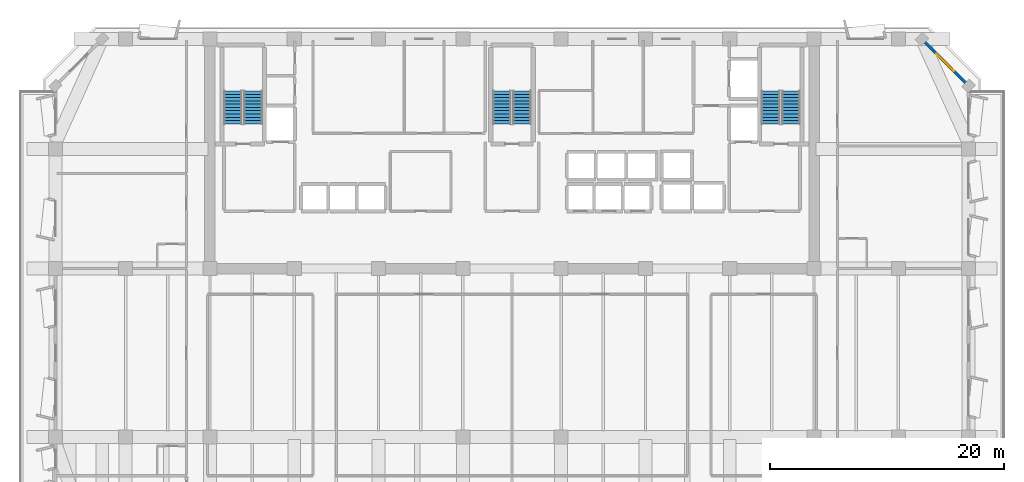
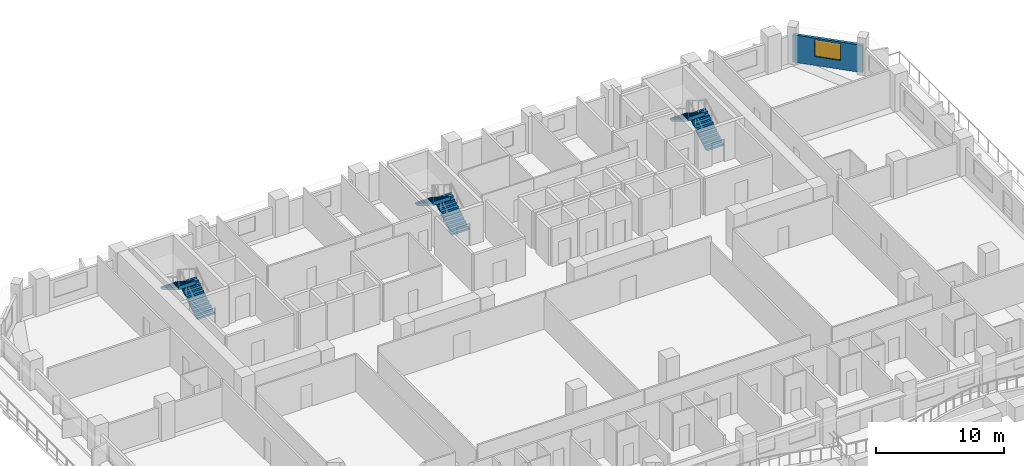
# One storey, part 11 of 16: 6 stair flights, 1 wall, 1 window, 1 opening, 3 elements without a shape of their own.
"""IFC4 building model written with IfcOpenShell, lengths in metres."""

from ifc_helpers import new_model, si_unit, direction, frame, frame_2d, origin, place, context, subcontext, project, spatial, polyline, rectangle, outline, extrude, material, layer, layer_set, type_object, element, fill, aggregate, save


model = new_model("IFC4")

# Units and contexts
model_context = context("Model", 3, precision=1e-05, world=origin(), true_north=direction((0.0, 1.0)))
body_context = subcontext(model_context, "Body", "Model", "MODEL_VIEW")
ifc_project = project(units=[si_unit("LENGTHUNIT", "METRE"), si_unit("AREAUNIT", "SQUARE_METRE"), si_unit("VOLUMEUNIT", "CUBIC_METRE"), si_unit("PLANEANGLEUNIT", "RADIAN"), si_unit("MASSUNIT", "GRAM", prefix="KILO")], contexts=[model_context])

# Site, building, storey
site_placement = place(None, origin())
site = spatial("IfcSite", under=ifc_project, at=site_placement, CompositionType="ELEMENT")
building_placement = place(site_placement, origin())
building = spatial("IfcBuilding", under=site, at=building_placement, Name="Kaelvorn Grand Hotel", CompositionType="ELEMENT")
storey_placement = place(building_placement, frame((0.0, 0.0, 135.35009765625)))
storey = spatial("IfcBuildingStorey", under=building, at=storey_placement, Name="L32", CompositionType="ELEMENT", Elevation=135.35009765625)

# Wall, opening, window
ifc_material_1 = material(Name="Concrete C40/50", Category="concrete")
ifc_layer = layer(ifc_material_1, 0.239990234375)
ifc_layer_set = layer_set([ifc_layer], Name="Concrete C40/50")
wall_type = type_object("IfcWallType", Name="WL-EXT-240-C40", PredefinedType="SOLIDWALL", material=ifc_layer_set)
wall_placement = place(storey_placement, frame((81.0, 45.0, 0.0), z_axis=(0.0, 0.0, 1.0), x_axis=(-0.707106781187, 0.707106781187, 0.0)))
wall = element("IfcWall", 1, at=wall_placement, inside=storey, type_object=wall_type, Name="L32 Exterior Architectural Concrete Wall 04", PredefinedType="SOLIDWALL", context=body_context, shape_type="SweptSolid", body=[
    extrude(rectangle(XDim=5.65673828125, YDim=0.239990234375, at=frame_2d((2.828369140625, 0.0))), origin(), (0.0, 0.0, 1.0), 2.60986328125),
])
opening_placement = place(wall_placement, frame((1.7783203125, 0.0, 0.85009765625)))
opening = element("IfcOpeningElement", 2, at=opening_placement, cuts=wall, Name="Opening W7", PredefinedType="OPENING", context=body_context, shape_type="SweptSolid", body=[
    extrude(rectangle(XDim=2.10009765625, YDim=1.60009765625, at=frame_2d((1.050048828125, 0.800048828125))), frame((0.0, 0.1298828125, 0.0), z_axis=(0.0, -1.0, 0.0), x_axis=(1.0, 0.0, 0.0)), (0.0, 0.0, 1.0), 0.260009765625),
])
ifc_material_2 = material(Name="Laminated Low-E Glass", Category="glass")
window_type = type_object("IfcWindowType", Name="WIN-CHM-2100x1600", PartitioningType="SINGLE_PANEL", PredefinedType="WINDOW", material=ifc_material_2)
window_placement = place(opening_placement, origin())
window = element("IfcWindow", 3, at=window_placement, inside=storey, type_object=window_type, Name="L32 Chamfered 45-Degree Corner Window NE", OverallHeight=1.60009765625, OverallWidth=2.10009765625, PartitioningType="SINGLE_PANEL", PredefinedType="WINDOW", context=body_context, shape_type="SweptSolid", body=[
    extrude(rectangle(XDim=2.10009765625, YDim=1.60009765625, at=frame_2d((1.050048828125, 0.800048828125))), frame((0.0, 0.030029296875, 0.0), z_axis=(0.0, -1.0, 0.0), x_axis=(1.0, 0.0, 0.0)), (0.0, 0.0, 1.0), 0.06005859375),
])
fill(opening, window)

# Stair, stair flights
stair_type = type_object("IfcStairType", Name="STR-DOG-1560-R08", PredefinedType="HALF_TURN_STAIR", material=ifc_material_1)
stair_1_placement = place(storey_placement, origin())
stair_1 = element("IfcStair", 4, at=stair_1_placement, inside=storey, type_object=stair_type, Name="L32 West Core Exit Stair ST1", PredefinedType="HALF_TURN_STAIR")
stair_flight_type = type_object("IfcStairFlightType", Name="FLG-DOG-1560-R08", PredefinedType="STRAIGHT", material=ifc_material_1)
stair_flight_1_placement = place(storey_placement, frame((19.89990234375, 41.760009765625, 0.0), z_axis=(0.0, 0.0, 1.0), x_axis=(0.0, 1.0, 0.0)))
stair_flight_1 = element("IfcStairFlight", 5, at=stair_flight_1_placement, type_object=stair_flight_type, Name="ST1 flight 1", NumberOfRisers=11, NumberOfTreads=10, PredefinedType="STRAIGHT", RiserHeight=0.172727273, TreadLength=0.28, context=body_context, shape_type="SweptSolid", body=[
    extrude(outline(polyline([(-0.0048828125, 0.0), (-0.0048828125, 0.0400390625), (0.0, 0.172607421875), (0.280029296875, 0.172607421875), (0.280029296875, 0.345458984375), (0.56005859375, 0.345458984375), (0.56005859375, 0.51806640625), (0.840087890625, 0.51806640625), (0.840087890625, 0.69091796875), (1.1201171875, 0.69091796875), (1.1201171875, 0.863525390625), (1.39990234375, 0.863525390625), (1.39990234375, 1.036376953125), (1.679931640625, 1.036376953125), (1.679931640625, 1.208984375), (1.9599609375, 1.208984375), (1.9599609375, 1.3818359375), (2.239990234375, 1.3818359375), (2.239990234375, 1.554443359375), (2.52001953125, 1.554443359375), (2.52001953125, 1.727294921875), (2.800048828125, 1.727294921875), (2.800048828125, 1.89990234375), (2.804931640625, 1.89990234375), (2.804931640625, 1.551025390625), (0.285400390625, 0.0), (-0.0048828125, 0.0)])), frame((0.0, 0.780029296875, 0.0), z_axis=(0.0, -1.0, 0.0), x_axis=(1.0, 0.0, 0.0)), (0.0, 0.0, 1.0), 1.56005859375),
])
stair_flight_2_placement = place(storey_placement, frame((18.179931640625, 44.56005859375, 1.89990234375), z_axis=(0.0, 0.0, 1.0), x_axis=(0.0, -1.0, 0.0)))
stair_flight_2 = element("IfcStairFlight", 6, at=stair_flight_2_placement, type_object=stair_flight_type, Name="ST1 flight 2", NumberOfRisers=11, NumberOfTreads=10, PredefinedType="STRAIGHT", RiserHeight=0.172727273, TreadLength=0.28, context=body_context, shape_type="SweptSolid", body=[
    extrude(outline(polyline([(-0.0048828125, 0.0), (-0.0048828125, 0.0400390625), (0.0, 0.172607421875), (0.280029296875, 0.172607421875), (0.280029296875, 0.345458984375), (0.56005859375, 0.345458984375), (0.56005859375, 0.51806640625), (0.840087890625, 0.51806640625), (0.840087890625, 0.69091796875), (1.1201171875, 0.69091796875), (1.1201171875, 0.863525390625), (1.39990234375, 0.863525390625), (1.39990234375, 1.036376953125), (1.679931640625, 1.036376953125), (1.679931640625, 1.208984375), (1.9599609375, 1.208984375), (1.9599609375, 1.3818359375), (2.239990234375, 1.3818359375), (2.239990234375, 1.554443359375), (2.52001953125, 1.554443359375), (2.52001953125, 1.727294921875), (2.800048828125, 1.727294921875), (2.800048828125, 1.89990234375), (2.804931640625, 1.89990234375), (2.804931640625, 1.551025390625), (0.285400390625, 0.0), (-0.0048828125, 0.0)])), frame((0.0, 0.780029296875, 0.0), z_axis=(0.0, -1.0, 0.0), x_axis=(1.0, 0.0, 0.0)), (0.0, 0.0, 1.0), 1.56005859375),
])
aggregate(stair_1, [stair_flight_1, stair_flight_2])

stair_2_placement = place(storey_placement, origin())
stair_2 = element("IfcStair", 7, at=stair_2_placement, inside=storey, type_object=stair_type, Name="L32 Central Core Exit Stair ST2", PredefinedType="HALF_TURN_STAIR")
stair_flight_3_placement = place(storey_placement, frame((42.860107421875, 41.760009765625, 0.0), z_axis=(0.0, 0.0, 1.0), x_axis=(0.0, 1.0, 0.0)))
stair_flight_3 = element("IfcStairFlight", 8, at=stair_flight_3_placement, type_object=stair_flight_type, Name="ST2 flight 1", NumberOfRisers=11, NumberOfTreads=10, PredefinedType="STRAIGHT", RiserHeight=0.172727273, TreadLength=0.28, context=body_context, shape_type="SweptSolid", body=[
    extrude(outline(polyline([(-0.0048828125, 0.0), (-0.0048828125, 0.0400390625), (0.0, 0.172607421875), (0.280029296875, 0.172607421875), (0.280029296875, 0.345458984375), (0.56005859375, 0.345458984375), (0.56005859375, 0.51806640625), (0.840087890625, 0.51806640625), (0.840087890625, 0.69091796875), (1.1201171875, 0.69091796875), (1.1201171875, 0.863525390625), (1.39990234375, 0.863525390625), (1.39990234375, 1.036376953125), (1.679931640625, 1.036376953125), (1.679931640625, 1.208984375), (1.9599609375, 1.208984375), (1.9599609375, 1.3818359375), (2.239990234375, 1.3818359375), (2.239990234375, 1.554443359375), (2.52001953125, 1.554443359375), (2.52001953125, 1.727294921875), (2.800048828125, 1.727294921875), (2.800048828125, 1.89990234375), (2.804931640625, 1.89990234375), (2.804931640625, 1.551025390625), (0.285400390625, 0.0), (-0.0048828125, 0.0)])), frame((0.0, 0.780029296875, 0.0), z_axis=(0.0, -1.0, 0.0), x_axis=(1.0, 0.0, 0.0)), (0.0, 0.0, 1.0), 1.56005859375),
])
stair_flight_4_placement = place(storey_placement, frame((41.139892578125, 44.56005859375, 1.89990234375), z_axis=(0.0, 0.0, 1.0), x_axis=(0.0, -1.0, 0.0)))
stair_flight_4 = element("IfcStairFlight", 9, at=stair_flight_4_placement, type_object=stair_flight_type, Name="ST2 flight 2", NumberOfRisers=11, NumberOfTreads=10, PredefinedType="STRAIGHT", RiserHeight=0.172727273, TreadLength=0.28, context=body_context, shape_type="SweptSolid", body=[
    extrude(outline(polyline([(-0.0048828125, 0.0), (-0.0048828125, 0.0400390625), (0.0, 0.172607421875), (0.280029296875, 0.172607421875), (0.280029296875, 0.345458984375), (0.56005859375, 0.345458984375), (0.56005859375, 0.51806640625), (0.840087890625, 0.51806640625), (0.840087890625, 0.69091796875), (1.1201171875, 0.69091796875), (1.1201171875, 0.863525390625), (1.39990234375, 0.863525390625), (1.39990234375, 1.036376953125), (1.679931640625, 1.036376953125), (1.679931640625, 1.208984375), (1.9599609375, 1.208984375), (1.9599609375, 1.3818359375), (2.239990234375, 1.3818359375), (2.239990234375, 1.554443359375), (2.52001953125, 1.554443359375), (2.52001953125, 1.727294921875), (2.800048828125, 1.727294921875), (2.800048828125, 1.89990234375), (2.804931640625, 1.89990234375), (2.804931640625, 1.551025390625), (0.285400390625, 0.0), (-0.0048828125, 0.0)])), frame((0.0, 0.780029296875, 0.0), z_axis=(0.0, -1.0, 0.0), x_axis=(1.0, 0.0, 0.0)), (0.0, 0.0, 1.0), 1.56005859375),
])
aggregate(stair_2, [stair_flight_3, stair_flight_4])

stair_3_placement = place(storey_placement, origin())
stair_3 = element("IfcStair", 10, at=stair_3_placement, inside=storey, type_object=stair_type, Name="L32 East Core Exit Stair ST3", PredefinedType="HALF_TURN_STAIR")
stair_flight_5_placement = place(storey_placement, frame((65.820068359375, 41.760009765625, 0.0), z_axis=(0.0, 0.0, 1.0), x_axis=(0.0, 1.0, 0.0)))
stair_flight_5 = element("IfcStairFlight", 11, at=stair_flight_5_placement, type_object=stair_flight_type, Name="ST3 flight 1", NumberOfRisers=11, NumberOfTreads=10, PredefinedType="STRAIGHT", RiserHeight=0.172727273, TreadLength=0.28, context=body_context, shape_type="SweptSolid", body=[
    extrude(outline(polyline([(-0.0048828125, 0.0), (-0.0048828125, 0.0400390625), (0.0, 0.172607421875), (0.280029296875, 0.172607421875), (0.280029296875, 0.345458984375), (0.56005859375, 0.345458984375), (0.56005859375, 0.51806640625), (0.840087890625, 0.51806640625), (0.840087890625, 0.69091796875), (1.1201171875, 0.69091796875), (1.1201171875, 0.863525390625), (1.39990234375, 0.863525390625), (1.39990234375, 1.036376953125), (1.679931640625, 1.036376953125), (1.679931640625, 1.208984375), (1.9599609375, 1.208984375), (1.9599609375, 1.3818359375), (2.239990234375, 1.3818359375), (2.239990234375, 1.554443359375), (2.52001953125, 1.554443359375), (2.52001953125, 1.727294921875), (2.800048828125, 1.727294921875), (2.800048828125, 1.89990234375), (2.804931640625, 1.89990234375), (2.804931640625, 1.551025390625), (0.285400390625, 0.0), (-0.0048828125, 0.0)])), frame((0.0, 0.780029296875, 0.0), z_axis=(0.0, -1.0, 0.0), x_axis=(1.0, 0.0, 0.0)), (0.0, 0.0, 1.0), 1.56005859375),
])
stair_flight_6_placement = place(storey_placement, frame((64.10009765625, 44.56005859375, 1.89990234375), z_axis=(0.0, 0.0, 1.0), x_axis=(0.0, -1.0, 0.0)))
stair_flight_6 = element("IfcStairFlight", 12, at=stair_flight_6_placement, type_object=stair_flight_type, Name="ST3 flight 2", NumberOfRisers=11, NumberOfTreads=10, PredefinedType="STRAIGHT", RiserHeight=0.172727273, TreadLength=0.28, context=body_context, shape_type="SweptSolid", body=[
    extrude(outline(polyline([(-0.0048828125, 0.0), (-0.0048828125, 0.0400390625), (0.0, 0.172607421875), (0.280029296875, 0.172607421875), (0.280029296875, 0.345458984375), (0.56005859375, 0.345458984375), (0.56005859375, 0.51806640625), (0.840087890625, 0.51806640625), (0.840087890625, 0.69091796875), (1.1201171875, 0.69091796875), (1.1201171875, 0.863525390625), (1.39990234375, 0.863525390625), (1.39990234375, 1.036376953125), (1.679931640625, 1.036376953125), (1.679931640625, 1.208984375), (1.9599609375, 1.208984375), (1.9599609375, 1.3818359375), (2.239990234375, 1.3818359375), (2.239990234375, 1.554443359375), (2.52001953125, 1.554443359375), (2.52001953125, 1.727294921875), (2.800048828125, 1.727294921875), (2.800048828125, 1.89990234375), (2.804931640625, 1.89990234375), (2.804931640625, 1.551025390625), (0.285400390625, 0.0), (-0.0048828125, 0.0)])), frame((0.0, 0.780029296875, 0.0), z_axis=(0.0, -1.0, 0.0), x_axis=(1.0, 0.0, 0.0)), (0.0, 0.0, 1.0), 1.56005859375),
])
aggregate(stair_3, [stair_flight_5, stair_flight_6])

save(model, "model.ifc")
